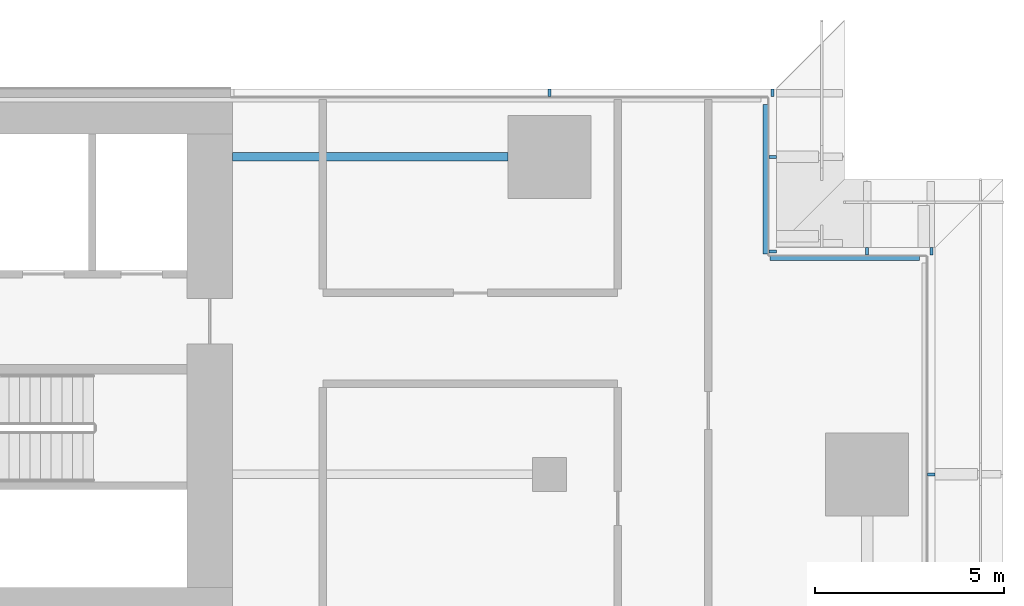
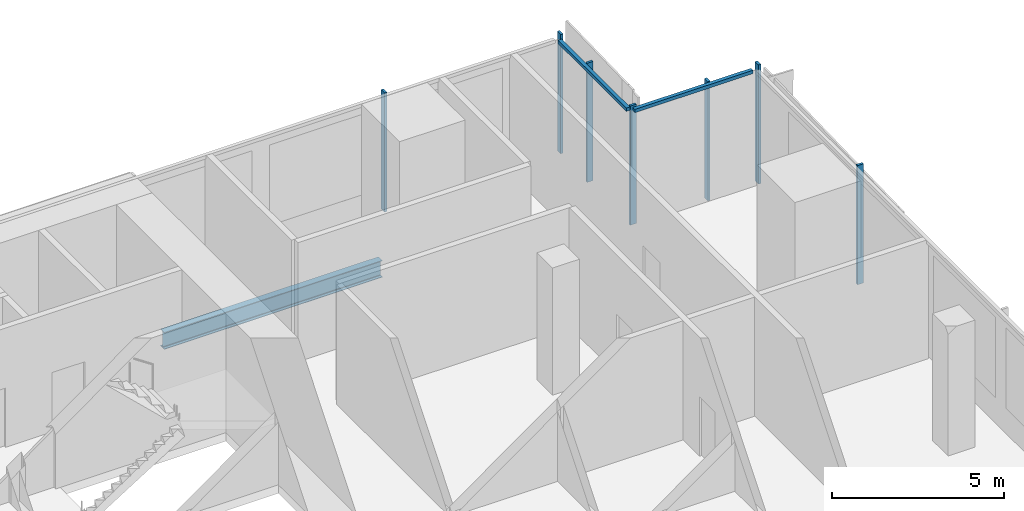
# One storey, part 10 of 23: 9 members, 1 beam, 4 elements without a shape of their own.
"""IFC4 building model written with IfcOpenShell, lengths in metres."""

from ifc_helpers import new_model, si_unit, direction, frame, origin, origin_2d, place, context, subcontext, project, spatial, rectangle, i_section, extrude, material, material_profile, profile_set, type_object, element, aggregate, save


model = new_model("IFC4")

# Units and contexts
model_context = context("Model", 3, precision=1e-05, world=origin(), true_north=direction((0.0, 1.0)))
body_context = subcontext(model_context, "Body", "Model", "MODEL_VIEW")
ifc_project = project(units=[si_unit("LENGTHUNIT", "METRE"), si_unit("AREAUNIT", "SQUARE_METRE"), si_unit("VOLUMEUNIT", "CUBIC_METRE"), si_unit("PLANEANGLEUNIT", "RADIAN"), si_unit("MASSUNIT", "GRAM", prefix="KILO")], contexts=[model_context])

# Site, building, storey
site_placement = place(None, origin())
site = spatial("IfcSite", under=ifc_project, at=site_placement, CompositionType="ELEMENT")
building_placement = place(site_placement, origin())
building = spatial("IfcBuilding", under=site, at=building_placement, Name="Saffron Gate Tower", CompositionType="ELEMENT")
storey_placement = place(building_placement, frame((0.0, 0.0, 32.699951171875)))
storey = spatial("IfcBuildingStorey", under=building, at=storey_placement, Name="L06", CompositionType="ELEMENT", Elevation=32.699951171875)

# Beam
ifc_material_1 = material(Name="Structural steel S355", Category="steel")
ifc_material_profile_1 = material_profile(ifc_material_1, i_section(OverallWidth=0.219970703125, OverallDepth=0.60009765625, WebThickness=0.011962890625, FlangeThickness=0.01904296875, FilletRadius=0.02392578125, at=origin_2d()))
ifc_profile_set_1 = profile_set([ifc_material_profile_1], Name="Structural steel S355")
beam_type = type_object("IfcBeamType", Name="B15 IPE 600", PredefinedType="BEAM", material=ifc_profile_set_1)
beam_placement = place(storey_placement, frame((115.89990234375, 73.800048828125, -0.599853515625), z_axis=(-1.0, 0.0, 0.0), x_axis=(0.0, -1.0, 0.0)))
element("IfcBeam", 1, at=beam_placement, inside=storey, type_object=beam_type, Name="B15 CORE TIE BEAM", PredefinedType="BEAM", context=body_context, shape_type="SweptSolid", body=[
    extrude(i_section(OverallWidth=0.219970703125, OverallDepth=0.60009765625, WebThickness=0.011962890625, FlangeThickness=0.01904296875, FilletRadius=0.02392578125, at=origin_2d()), origin(), (0.0, 0.0, 1.0), 7.2998046875),
])

# Curtain wall, member
ifc_material_2 = material(Name="Aluminium, bronze anodised", Category="aluminium")
curtain_wall_type = type_object("IfcCurtainWallType", Name="CWS6 curtain wall tall storeys", PredefinedType="NOTDEFINED", material=ifc_material_2)
curtain_wall_1_placement = place(storey_placement, origin())
curtain_wall_1 = element("IfcCurtainWall", 2, at=curtain_wall_1_placement, inside=storey, type_object=curtain_wall_type, Name="CWS6 run 5", PredefinedType="NOTDEFINED")
ifc_material_profile_2 = material_profile(ifc_material_2, rectangle(XDim=0.1201171875, YDim=0.1201171875, at=origin_2d()))
ifc_profile_set_2 = profile_set([ifc_material_profile_2], Name="Aluminium, bronze anodised")
member_type_1 = type_object("IfcMemberType", Name="CWS6 head transom", PredefinedType="USERDEFINED", material=ifc_profile_set_2)
member_1_placement = place(storey_placement, frame((126.7919921875, 71.112060546875, 4.16015625), z_axis=(-1.0, 0.0, 0.0), x_axis=(0.0, -1.0, 0.0)))
member_1 = element("IfcMember", 3, at=member_1_placement, type_object=member_type_1, Name="CWS6 head transom", ObjectType="TRANSOM", PredefinedType="USERDEFINED", context=body_context, shape_type="SweptSolid", body=[
    extrude(rectangle(XDim=0.1201171875, YDim=0.1201171875, at=origin_2d()), origin(), (0.0, 0.0, 1.0), 3.9599609375),
])

curtain_wall_2_placement = place(storey_placement, origin())
curtain_wall_2 = element("IfcCurtainWall", 4, at=curtain_wall_2_placement, inside=storey, type_object=curtain_wall_type, Name="CWS6 run 6", PredefinedType="NOTDEFINED")
member_2_placement = place(storey_placement, frame((122.7119140625, 71.23193359375, 4.16015625), z_axis=(0.0, 1.0, 0.0), x_axis=(-1.0, 0.0, 0.0)))
member_2 = element("IfcMember", 5, at=member_2_placement, type_object=member_type_1, Name="CWS6 head transom", ObjectType="TRANSOM", PredefinedType="USERDEFINED", context=body_context, shape_type="SweptSolid", body=[
    extrude(rectangle(XDim=0.1201171875, YDim=0.1201171875, at=origin_2d()), origin(), (0.0, 0.0, 1.0), 3.9599609375),
])

curtain_wall_3_placement = place(storey_placement, origin())
curtain_wall_3 = element("IfcCurtainWall", 6, at=curtain_wall_3_placement, inside=storey, type_object=curtain_wall_type, Name="CWS6 run 4", PredefinedType="NOTDEFINED")
ifc_material_profile_3 = material_profile(ifc_material_2, rectangle(XDim=0.199951171875, YDim=0.080078125, at=origin_2d()))
ifc_profile_set_3 = profile_set([ifc_material_profile_3], Name="Aluminium, bronze anodised")
member_type_2 = type_object("IfcMemberType", Name="CWS6 mullion 80x200", PredefinedType="MULLION", material=ifc_profile_set_3)
member_3_placement = place(storey_placement, frame((127.10009765625, 65.39990234375, 0.0), z_axis=(0.0, 0.0, 1.0), x_axis=(-1.0, 0.0, 0.0)))
member_3 = element("IfcMember", 7, at=member_3_placement, type_object=member_type_2, Name="CWS6 mullion 5", PredefinedType="MULLION", context=body_context, shape_type="SweptSolid", body=[
    extrude(rectangle(XDim=0.199951171875, YDim=0.080078125, at=origin_2d()), origin(), (0.0, 0.0, 1.0), 4.219970703125),
])
aggregate(curtain_wall_3, [member_3])

# Member
member_4_placement = place(storey_placement, frame((127.10009765625, 71.300048828125, 0.0), z_axis=(0.0, 0.0, 1.0), x_axis=(0.0, -1.0, 0.0)))
member_4 = element("IfcMember", 8, at=member_4_placement, type_object=member_type_2, Name="CWS6 mullion 1", PredefinedType="MULLION", context=body_context, shape_type="SweptSolid", body=[
    extrude(rectangle(XDim=0.199951171875, YDim=0.080078125, at=origin_2d()), origin(), (0.0, 0.0, 1.0), 4.219970703125),
])

member_5_placement = place(storey_placement, frame((125.39990234375, 71.300048828125, 0.0), z_axis=(0.0, 0.0, 1.0), x_axis=(0.0, -1.0, 0.0)))
member_5 = element("IfcMember", 9, at=member_5_placement, type_object=member_type_2, Name="CWS6 mullion 2", PredefinedType="MULLION", context=body_context, shape_type="SweptSolid", body=[
    extrude(rectangle(XDim=0.199951171875, YDim=0.080078125, at=origin_2d()), origin(), (0.0, 0.0, 1.0), 4.219970703125),
])

aggregate(curtain_wall_1, [member_4, member_5, member_1])

member_6_placement = place(storey_placement, frame((122.89990234375, 71.300048828125, 0.0), z_axis=(0.0, 0.0, 1.0), x_axis=(-1.0, 0.0, 0.0)))
member_6 = element("IfcMember", 10, at=member_6_placement, type_object=member_type_2, Name="CWS6 mullion 1", PredefinedType="MULLION", context=body_context, shape_type="SweptSolid", body=[
    extrude(rectangle(XDim=0.199951171875, YDim=0.080078125, at=origin_2d()), origin(), (0.0, 0.0, 1.0), 4.219970703125),
])

member_7_placement = place(storey_placement, frame((122.89990234375, 73.800048828125, 0.0), z_axis=(0.0, 0.0, 1.0), x_axis=(-1.0, 0.0, 0.0)))
member_7 = element("IfcMember", 11, at=member_7_placement, type_object=member_type_2, Name="CWS6 mullion 2", PredefinedType="MULLION", context=body_context, shape_type="SweptSolid", body=[
    extrude(rectangle(XDim=0.199951171875, YDim=0.080078125, at=origin_2d()), origin(), (0.0, 0.0, 1.0), 4.219970703125),
])

aggregate(curtain_wall_2, [member_6, member_7, member_2])

# Curtain wall, members
curtain_wall_4_placement = place(storey_placement, origin())
curtain_wall_4 = element("IfcCurtainWall", 12, at=curtain_wall_4_placement, inside=storey, type_object=curtain_wall_type, Name="CWS6 run 7", PredefinedType="NOTDEFINED")
member_8_placement = place(storey_placement, frame((122.89990234375, 75.5, 0.0), z_axis=(0.0, 0.0, 1.0), x_axis=(0.0, -1.0, 0.0)))
member_8 = element("IfcMember", 13, at=member_8_placement, type_object=member_type_2, Name="CWS6 mullion 1", PredefinedType="MULLION", context=body_context, shape_type="SweptSolid", body=[
    extrude(rectangle(XDim=0.199951171875, YDim=0.080078125, at=origin_2d()), origin(), (0.0, 0.0, 1.0), 4.219970703125),
])
member_9_placement = place(storey_placement, frame((117.0, 75.5, 0.0), z_axis=(0.0, 0.0, 1.0), x_axis=(0.0, -1.0, 0.0)))
member_9 = element("IfcMember", 14, at=member_9_placement, type_object=member_type_2, Name="CWS6 mullion 2", PredefinedType="MULLION", context=body_context, shape_type="SweptSolid", body=[
    extrude(rectangle(XDim=0.199951171875, YDim=0.080078125, at=origin_2d()), origin(), (0.0, 0.0, 1.0), 4.219970703125),
])
aggregate(curtain_wall_4, [member_8, member_9])

save(model, "model.ifc")
